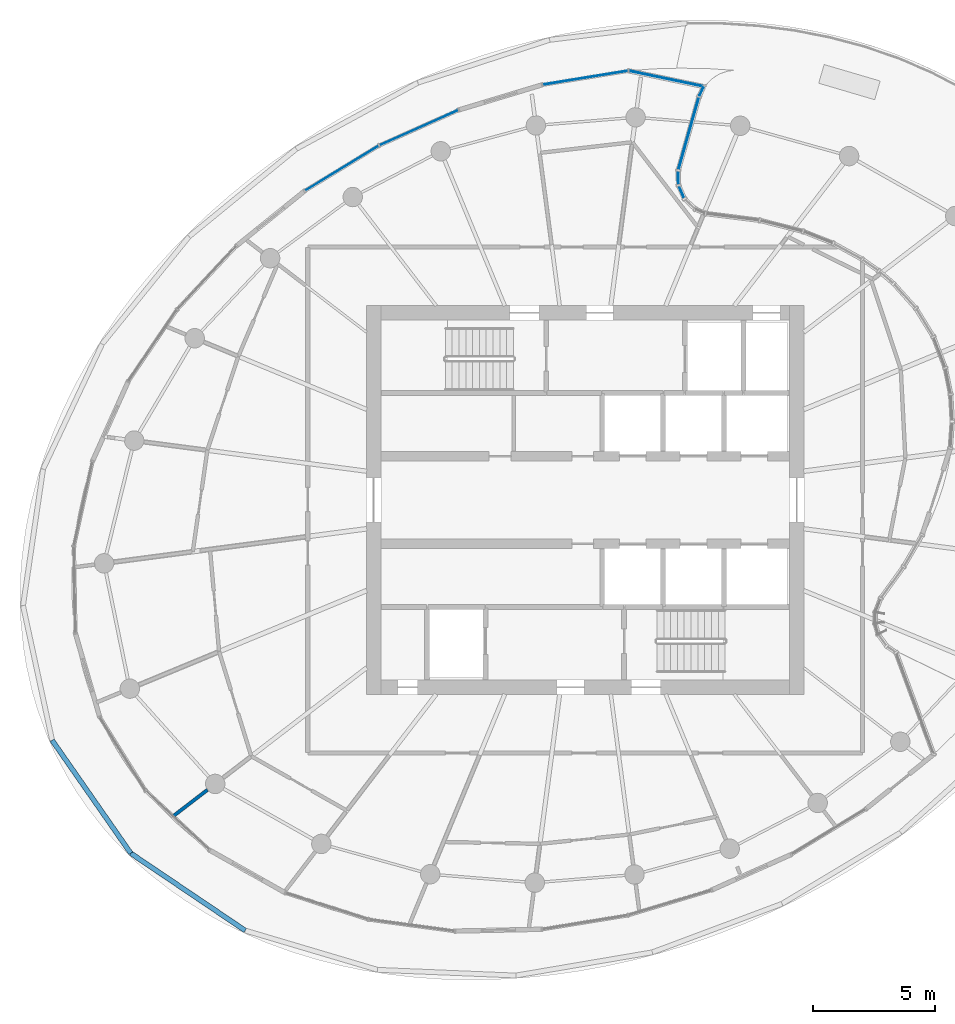
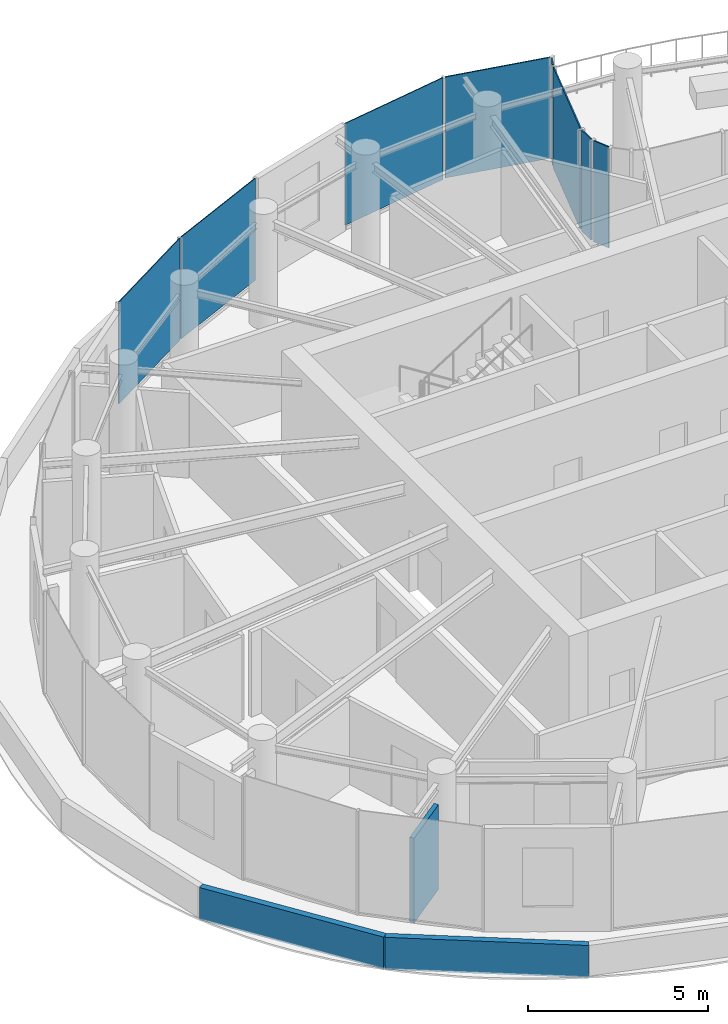
# One storey, part 10 of 19: 8 plates, 3 walls, 2 elements without a shape of their own.
"""IFC4 building model written with IfcOpenShell, lengths in metres."""

from ifc_helpers import new_model, si_unit, direction, frame, frame_2d, origin, origin_2d, place, context, subcontext, project, spatial, rectangle, extrude, source, transform, mapped, material, layer, layer_set, type_object, element, aggregate, save


model = new_model("IFC4")

# Units and contexts
model_context = context("Model", 3, precision=1e-05, world=origin(), true_north=direction((0.0, 1.0)))
body_context = subcontext(model_context, "Body", "Model", "MODEL_VIEW")
ifc_project = project(units=[si_unit("LENGTHUNIT", "METRE"), si_unit("AREAUNIT", "SQUARE_METRE"), si_unit("VOLUMEUNIT", "CUBIC_METRE"), si_unit("PLANEANGLEUNIT", "RADIAN"), si_unit("MASSUNIT", "GRAM", prefix="KILO")], contexts=[model_context])

# Site, building, storey
site_placement = place(None, origin())
site = spatial("IfcSite", under=ifc_project, at=site_placement, CompositionType="ELEMENT")
building_placement = place(site_placement, origin())
building = spatial("IfcBuilding", under=site, at=building_placement, Name="Spindrift Exchange Tower", CompositionType="ELEMENT")
storey_placement = place(building_placement, frame((0.0, 0.0, 234.5)))
storey = spatial("IfcBuildingStorey", under=building, at=storey_placement, Name="L57", CompositionType="ELEMENT", Elevation=234.5)

# Curtain wall, plates
ifc_material_1 = material(Name="Fritted laminated glass with bronze frame", Category="glass")
ifc_layer_1 = layer(ifc_material_1, 0.159912109375)
ifc_layer_set_1 = layer_set([ifc_layer_1], Name="ZONE 5 BRONZE FRITTED WALL")
curtain_wall_type_1 = type_object("IfcCurtainWallType", Name="ZONE 5 BRONZE FRITTED WALL", PredefinedType="NOTDEFINED", material=ifc_layer_set_1)
curtain_wall_1_placement = place(storey_placement, origin())
curtain_wall_1 = element("IfcCurtainWall", 1, at=curtain_wall_1_placement, inside=storey, type_object=curtain_wall_type_1, Name="L57 Zone 5 Bronze Fritted Wall run 1", PredefinedType="NOTDEFINED")
ifc_material_2 = material(Name="Bronze tinted laminated glass, light frit", Category="glass")
ifc_layer_2 = layer(ifc_material_2, 0.028076171875)
ifc_layer_set_2 = layer_set([ifc_layer_2], Name="ZONE 5 BRONZE FRITTED WALL PANEL LIGHT FRIT 1200")
plate_type_1 = type_object("IfcPlateType", Name="ZONE 5 BRONZE FRITTED WALL PANEL LIGHT FRIT 1200", PredefinedType="CURTAIN_PANEL", material=ifc_layer_set_2)
shared_shape_1 = source(origin(), body_context, "Body", "SweptSolid", [
    extrude(rectangle(XDim=3.52587890625, YDim=0.028076171875, at=origin_2d()), origin(), (0.0, 0.0, 1.0), 3.4599609375),
])
plate_1_placement = place(storey_placement, frame((52.005615234375, 65.3564453125, 0.1201171875), z_axis=(0.0, 0.0, 1.0), x_axis=(-0.986987948746, -0.160794244392, 0.0)))
plate_1 = element("IfcPlate", 2, at=plate_1_placement, type_object=plate_type_1, Name="L57 panel CW-5.1", PredefinedType="CURTAIN_PANEL", context=body_context, shape_type="MappedRepresentation", body=[
    mapped(shared_shape_1, transform((0.0, 0.0, 0.0), scale=1.0)),
])
ifc_layer_3 = layer(ifc_material_2, 0.028076171875)
ifc_layer_set_3 = layer_set([ifc_layer_3], Name="ZONE 5 BRONZE FRITTED WALL PANEL LIGHT FRIT 960")
plate_type_2 = type_object("IfcPlateType", Name="ZONE 5 BRONZE FRITTED WALL PANEL LIGHT FRIT 960", PredefinedType="CURTAIN_PANEL", material=ifc_layer_set_3)
shared_shape_2 = source(origin(), body_context, "Body", "SweptSolid", [
    extrude(rectangle(XDim=3.5263671875, YDim=0.028076171875, at=origin_2d()), origin(), (0.0, 0.0, 1.0), 3.4599609375),
])
plate_2_placement = place(storey_placement, frame((45.165283203125, 63.30126953125, 0.1201171875), z_axis=(0.0, 0.0, 1.0), x_axis=(-0.913047853423, -0.407852445573, 0.0)))
plate_2 = element("IfcPlate", 3, at=plate_2_placement, type_object=plate_type_2, Name="L57 panel CW-5.3", PredefinedType="CURTAIN_PANEL", context=body_context, shape_type="MappedRepresentation", body=[
    mapped(shared_shape_2, transform((0.0, 0.0, 0.0), scale=1.0)),
])
shared_shape_3 = source(origin(), body_context, "Body", "SweptSolid", [
    extrude(rectangle(XDim=3.5263671875, YDim=0.028076171875, at=origin_2d()), origin(), (0.0, 0.0, 1.0), 3.4599609375),
])
plate_3_placement = place(storey_placement, frame((41.99658203125, 61.63671875, 0.1201171875), z_axis=(0.0, 0.0, 1.0), x_axis=(-0.853962458462, -0.520334622659, 0.0)))
plate_3 = element("IfcPlate", 4, at=plate_3_placement, type_object=plate_type_1, Name="L57 panel CW-5.4", PredefinedType="CURTAIN_PANEL", context=body_context, shape_type="MappedRepresentation", body=[
    mapped(shared_shape_3, transform((0.0, 0.0, 0.0), scale=1.0)),
])
aggregate(curtain_wall_1, [plate_1, plate_2, plate_3])

ifc_layer_4 = layer(ifc_material_1, 0.199951171875)
ifc_layer_set_4 = layer_set([ifc_layer_4], Name="SKY GARDEN BRONZE GLAZED WALL")
curtain_wall_type_2 = type_object("IfcCurtainWallType", Name="SKY GARDEN BRONZE GLAZED WALL", PredefinedType="NOTDEFINED", material=ifc_layer_set_4)
curtain_wall_2_placement = place(storey_placement, origin())
curtain_wall_2 = element("IfcCurtainWall", 5, at=curtain_wall_2_placement, inside=storey, type_object=curtain_wall_type_2, Name="L57 Sky Garden Bronze Glazed Wall run 9", PredefinedType="NOTDEFINED")
ifc_material_3 = material(Name="Bronze tinted laminated glass, clear vision", Category="glass")
ifc_layer_5 = layer(ifc_material_3, 0.0380859375)
ifc_layer_set_5 = layer_set([ifc_layer_5], Name="SKY GARDEN BRONZE GLAZED WALL PANEL CLEAR 1920")
plate_type_3 = type_object("IfcPlateType", Name="SKY GARDEN BRONZE GLAZED WALL PANEL CLEAR 1920", PredefinedType="CURTAIN_PANEL", material=ifc_layer_set_5)
shared_shape_4 = source(origin(), body_context, "Body", "SweptSolid", [
    extrude(rectangle(XDim=0.52587890625, YDim=0.0380859375, at=origin_2d()), origin(), (0.0, 0.0, 1.0), 3.429931640625),
])
plate_4_placement = place(storey_placement, frame((55.95947265625, 60.656005859375, 0.14990234375), z_axis=(0.0, 0.0, 1.0), x_axis=(-0.405545252834, 0.914074968426, 0.0)))
plate_4 = element("IfcPlate", 6, at=plate_4_placement, type_object=plate_type_3, Name="L57 panel CW-G.48", PredefinedType="CURTAIN_PANEL", context=body_context, shape_type="MappedRepresentation", body=[
    mapped(shared_shape_4, transform((0.0, 0.0, 0.0), scale=1.0)),
])
shared_shape_5 = source(origin(), body_context, "Body", "SweptSolid", [
    extrude(rectangle(XDim=0.525634765625, YDim=0.0380859375, at=origin_2d()), origin(), (0.0, 0.0, 1.0), 3.429931640625),
])
plate_5_placement = place(storey_placement, frame((55.8291015625, 61.240234375, 0.14990234375), z_axis=(0.0, 0.0, 1.0), x_axis=(-0.021122149031, 0.999776902524, 0.0)))
plate_5 = element("IfcPlate", 7, at=plate_5_placement, type_object=plate_type_3, Name="L57 panel CW-G.49", PredefinedType="CURTAIN_PANEL", context=body_context, shape_type="MappedRepresentation", body=[
    mapped(shared_shape_5, transform((0.0, 0.0, 0.0), scale=1.0)),
])
ifc_layer_6 = layer(ifc_material_3, 0.0380859375)
ifc_layer_set_6 = layer_set([ifc_layer_6], Name="SKY GARDEN BRONZE GLAZED WALL PANEL CLEAR 1200")
plate_type_4 = type_object("IfcPlateType", Name="SKY GARDEN BRONZE GLAZED WALL PANEL CLEAR 1200", PredefinedType="CURTAIN_PANEL", material=ifc_layer_set_6)
shared_shape_6 = source(origin(), body_context, "Body", "SweptSolid", [
    extrude(rectangle(XDim=3.07177734375, YDim=0.0380859375, at=origin_2d()), origin(), (0.0, 0.0, 1.0), 3.429931640625),
])
plate_6_placement = place(storey_placement, frame((56.251953125, 63.064453125, 0.14990234375), z_axis=(0.0, 0.0, 1.0), x_axis=(0.27208879151, 0.962272149412, 0.0)))
plate_6 = element("IfcPlate", 8, at=plate_6_placement, type_object=plate_type_4, Name="L57 panel CW-G.50", PredefinedType="CURTAIN_PANEL", context=body_context, shape_type="MappedRepresentation", body=[
    mapped(shared_shape_6, transform((0.0, 0.0, 0.0), scale=1.0)),
])
shared_shape_7 = source(origin(), body_context, "Body", "SweptSolid", [
    extrude(rectangle(XDim=0.367431640625, YDim=0.0380859375, at=origin_2d()), origin(), (0.0, 0.0, 1.0), 3.429931640625),
])
plate_7_placement = place(storey_placement, frame((56.77490234375, 64.789306640625, 0.14990234375), z_axis=(0.0, 0.0, 1.0), x_axis=(0.413220455798, 0.910631020178, 0.0)))
plate_7 = element("IfcPlate", 9, at=plate_7_placement, type_object=plate_type_3, Name="L57 panel CW-G.51", PredefinedType="CURTAIN_PANEL", context=body_context, shape_type="MappedRepresentation", body=[
    mapped(shared_shape_7, transform((0.0, 0.0, 0.0), scale=1.0)),
])
shared_shape_8 = source(origin(), body_context, "Body", "SweptSolid", [
    extrude(rectangle(XDim=3.07568359375, YDim=0.0380859375, at=origin_2d()), origin(), (0.0, 0.0, 1.0), 3.429931640625),
])
plate_8_placement = place(storey_placement, frame((55.322021484375, 65.320068359375, 0.14990234375), z_axis=(0.0, 0.0, 1.0), x_axis=(-0.978664539849, 0.205464640369, 0.0)))
plate_8 = element("IfcPlate", 10, at=plate_8_placement, type_object=plate_type_4, Name="L57 panel CW-G.52", PredefinedType="CURTAIN_PANEL", context=body_context, shape_type="MappedRepresentation", body=[
    mapped(shared_shape_8, transform((0.0, 0.0, 0.0), scale=1.0)),
])
aggregate(curtain_wall_2, [plate_4, plate_5, plate_6, plate_7, plate_8])

# Walls
ifc_material_4 = material(Name="Concrete 40 MPa", Category="concrete")
ifc_layer_7 = layer(ifc_material_4, 0.199951171875)
ifc_layer_set_7 = layer_set([ifc_layer_7], Name="LEDGE PARAPET 1100")
wall_type_1 = type_object("IfcWallType", Name="LEDGE PARAPET 1100", PredefinedType="PARAPET", material=ifc_layer_set_7)
wall_1_placement = place(storey_placement, frame((38.022216796875, 30.303955078125, 0.0), z_axis=(0.0, 0.0, 1.0), x_axis=(-0.828871130332, 0.559439585033, 0.0)))
element("IfcWall", 11, at=wall_1_placement, inside=storey, type_object=wall_type_1, Name="L57 Ledge Parapet 7", PredefinedType="PARAPET", context=body_context, shape_type="SweptSolid", body=[
    extrude(rectangle(XDim=5.67138671875, YDim=0.199951171875, at=frame_2d((2.835693359375, 0.0))), origin(), (0.0, 0.0, 1.0), 1.10009765625),
])
wall_2_placement = place(storey_placement, frame((33.3212890625, 33.476806640625, 0.0), z_axis=(0.0, 0.0, 1.0), x_axis=(-0.57129566516, 0.820744334716, 0.0)))
element("IfcWall", 12, at=wall_2_placement, inside=storey, type_object=wall_type_1, Name="L57 Ledge Parapet 8", PredefinedType="PARAPET", context=body_context, shape_type="SweptSolid", body=[
    extrude(rectangle(XDim=5.661865234375, YDim=0.199951171875, at=frame_2d((2.8310546875, 0.0))), origin(), (0.0, 0.0, 1.0), 1.10009765625),
])
ifc_material_5 = material(Name="Fire-rated plasterboard partition", Category="gypsum")
ifc_layer_8 = layer(ifc_material_5, 0.139892578125)
ifc_layer_set_8 = layer_set([ifc_layer_8], Name="W-PART-140")
wall_type_2 = type_object("IfcWallType", Name="W-PART-140", PredefinedType="PARTITIONING", material=ifc_layer_set_8)
wall_3_placement = place(storey_placement, frame((36.469482421875, 36.0830078125, 0.0), z_axis=(0.0, 0.0, 1.0), x_axis=(-0.793354095368, -0.608760444973, 0.0)))
element("IfcWall", 13, at=wall_3_placement, inside=storey, type_object=wall_type_2, Name="L57 Partition wall 61", PredefinedType="PARTITIONING", context=body_context, shape_type="SweptSolid", body=[
    extrude(rectangle(XDim=1.776123046875, YDim=0.139892578125, at=frame_2d((0.88818359375, 0.0))), origin(), (0.0, 0.0, 1.0), 2.8798828125),
])

save(model, "model.ifc")
